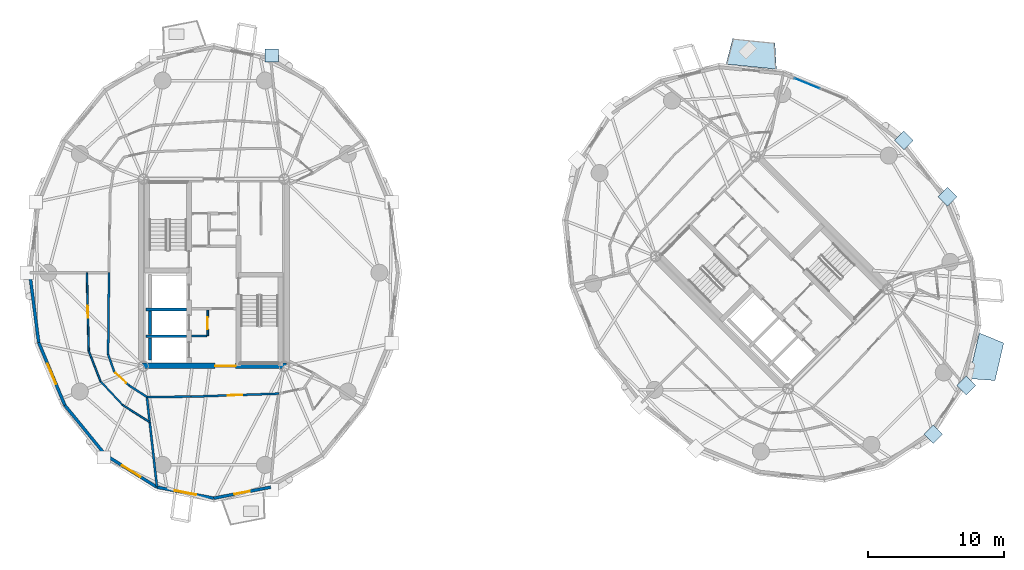
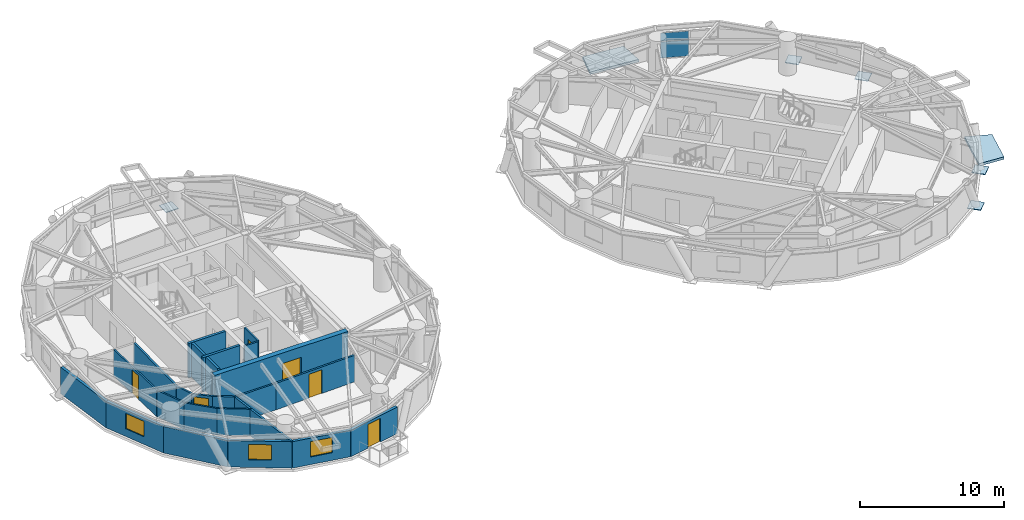
# One storey, part 9 of 18: 24 walls, 7 plates, 6 doors, 3 windows, 2 slabs, 9 openings, 1 element without a shape of its own.
"""IFC4 building model written with IfcOpenShell, lengths in metres."""

from ifc_helpers import new_model, si_unit, direction, frame, frame_2d, origin, origin_2d, place, context, subcontext, project, spatial, polyline, rectangle, outline, extrude, source, transform, mapped, material, layer, layer_set, type_object, element, fill, aggregate, save


model = new_model("IFC4")

# Units and contexts
model_context = context("Model", 3, precision=1e-05, world=origin(), true_north=direction((0.0, 1.0)))
body_context = subcontext(model_context, "Body", "Model", "MODEL_VIEW")
ifc_project = project(units=[si_unit("LENGTHUNIT", "METRE"), si_unit("AREAUNIT", "SQUARE_METRE"), si_unit("VOLUMEUNIT", "CUBIC_METRE"), si_unit("PLANEANGLEUNIT", "RADIAN"), si_unit("MASSUNIT", "GRAM", prefix="KILO")], contexts=[model_context])

# Site, building, storey
site_placement = place(None, origin())
site = spatial("IfcSite", under=ifc_project, at=site_placement, CompositionType="ELEMENT")
building_placement = place(site_placement, origin())
building = spatial("IfcBuilding", under=site, at=building_placement, Name="Cununo Teusaquillo Station Towers", CompositionType="ELEMENT")
storey_placement = place(building_placement, frame((0.0, 0.0, 169.06005859375)))
storey = spatial("IfcBuildingStorey", under=building, at=storey_placement, Name="L53", CompositionType="ELEMENT", Elevation=169.06005859375)

# Slabs
ifc_material_1 = material(Name="Concrete C50/60", Category="concrete")
ifc_layer_1 = layer(ifc_material_1, 0.2099609375)
ifc_layer_set_1 = layer_set([ifc_layer_1], Name="Concrete C50/60")
slab_type = type_object("IfcSlabType", Name="SLB-BAL-210", PredefinedType="FLOOR", material=ifc_layer_set_1)
slab_1_placement = place(storey_placement, frame((0.0, 0.0, -0.2099609375)))
element("IfcSlab", 1, at=slab_1_placement, inside=storey, type_object=slab_type, Name="L53 Tower B Tree Balcony Slab 1", PredefinedType="FLOOR", context=body_context, shape_type="SweptSolid", body=[
    extrude(outline(polyline([(57.8505859375, 39.46337890625), (54.148681640625, 39.830078125), (54.63623046875, 41.706298828125), (57.740966796875, 41.3984375), (57.8505859375, 39.46337890625)])), origin(), (0.0, 0.0, 1.0), 0.2099609375),
])
slab_2_placement = place(storey_placement, frame((0.0, 0.0, -0.2099609375)))
element("IfcSlab", 2, at=slab_2_placement, inside=storey, type_object=slab_type, Name="L53 Tower B Tree Balcony Slab 2", PredefinedType="FLOOR", context=body_context, shape_type="SweptSolid", body=[
    extrude(outline(polyline([(71.979248046875, 16.720703125), (72.75927734375, 20.064208984375), (74.55615234375, 19.3369140625), (73.912353515625, 16.57763671875), (71.979248046875, 16.720703125)])), origin(), (0.0, 0.0, 1.0), 0.2099609375),
])

# Plates
ifc_material_2 = material(Name="Steel ASTM A572 Grade 50", Category="steel")
ifc_layer_2 = layer(ifc_material_2, 0.054931640625)
ifc_layer_set_2 = layer_set([ifc_layer_2], Name="Steel ASTM A572 Grade 50")
plate_type_1 = type_object("IfcPlateType", Name="PLT-NODE-KDN1", PredefinedType="USERDEFINED", material=ifc_layer_set_2)
shared_shape_1 = source(origin(), body_context, "Body", "SweptSolid", [
    extrude(rectangle(XDim=0.97998046875, YDim=0.97998046875, at=origin_2d()), origin(), (0.0, 0.0, 1.0), 0.054931640625),
])
for number, where, z_axis, x_axis, name in (
    (3, (20.749267578125, 40.46826171875, -0.16748046875), (0.0, 0.0, 1.0), (1.0, 0.0, 0.0), "L53 Tower A Diagrid Node Assembly C03"),
    (4, (67.223388671875, 34.223388671875, -0.16748046875), (0.0, 0.0, 1.0), (0.707106781187, 0.707106781187, 0.0), "L53 Tower B Diagrid Node Assembly C00"),
    (5, (69.372314453125, 12.627685546875, -0.16748046875), (0.0, 0.0, 1.0), (0.707106781187, 0.707106781187, 0.0), "L53 Tower B Diagrid Node Assembly C14"),
    (6, (71.7958984375, 16.21337890625, -0.16748046875), (0.0, 0.0, 1.0), (0.707106781187, 0.707106781187, 0.0), "L53 Tower B Diagrid Node Assembly C16"),
    (7, (70.416259765625, 30.078857421875, -0.16748046875), (0.0, 0.0, 1.0), (0.707106781187, 0.707106781187, 0.0), "L53 Tower B Diagrid Node Assembly C18"),
):
    element("IfcPlate", number, at=place(storey_placement, frame(where, z_axis=z_axis, x_axis=x_axis)), inside=storey, type_object=plate_type_1, Name=name, ObjectType="GUSSET PLATE", PredefinedType="USERDEFINED", context=body_context, shape_type="MappedRepresentation", body=[
        mapped(shared_shape_1, transform((0.0, 0.0, 0.0), x_axis=(1.0, 0.0, 0.0), y_axis=(0.0, 1.0, 0.0), z_axis=(0.0, 0.0, 1.0), scale=1.0)),
    ])

# Curtain wall, plates
ifc_material_3 = material(Name="Operable acoustic tinted low-E double glazing", Category="glass")
ifc_layer_3 = layer(ifc_material_3, 0.179931640625)
ifc_layer_set_3 = layer_set([ifc_layer_3], Name="Operable acoustic tinted low-E double glazing")
curtain_wall_type = type_object("IfcCurtainWallType", Name="CW-SYS-06", PredefinedType="USERDEFINED", material=ifc_layer_set_3)
curtain_wall_placement = place(storey_placement, origin())
curtain_wall = element("IfcCurtainWall", 8, at=curtain_wall_placement, inside=storey, type_object=curtain_wall_type, Name="L53 Tower B Facade Curtain Wall C01", ObjectType="OPERABLE GLAZING", PredefinedType="USERDEFINED")
ifc_material_4 = material(Name="Operable acoustic tinted low-E double glazing", Category="glass")
ifc_layer_4 = layer(ifc_material_4, 0.031982421875)
ifc_layer_set_4 = layer_set([ifc_layer_4], Name="Operable acoustic tinted low-E double glazing")
plate_type_2 = type_object("IfcPlateType", Name="CWP-OPER-32", PredefinedType="CURTAIN_PANEL", material=ifc_layer_set_4)
shared_shape_2 = source(origin(), body_context, "Body", "SweptSolid", [
    extrude(rectangle(XDim=1.97900390625, YDim=0.031982421875, at=origin_2d()), origin(), (0.0, 0.0, 1.0), 1.361572265625),
])
plate_1_placement = place(storey_placement, frame((60.1142578125, 38.4013671875, 0.06494140625), z_axis=(0.0, 0.0, 1.0), x_axis=(0.924480504803, -0.381229322376, 0.0)))
plate_1 = element("IfcPlate", 9, at=plate_1_placement, type_object=plate_type_2, Name="CW-06 panel 1.1", PredefinedType="CURTAIN_PANEL", context=body_context, shape_type="MappedRepresentation", body=[
    mapped(shared_shape_2, transform((0.0, 0.0, 0.0), x_axis=(1.0, 0.0, 0.0), y_axis=(0.0, 1.0, 0.0), z_axis=(0.0, 0.0, 1.0), scale=1.0)),
])
shared_shape_3 = source(origin(), body_context, "Body", "SweptSolid", [
    extrude(rectangle(XDim=1.97900390625, YDim=0.031982421875, at=origin_2d()), origin(), (0.0, 0.0, 1.0), 0.6884765625),
])
plate_2_placement = place(storey_placement, frame((60.1142578125, 38.4013671875, 1.491455078125), z_axis=(0.0, 0.0, 1.0), x_axis=(0.924480504803, -0.381229322376, 0.0)))
plate_2 = element("IfcPlate", 10, at=plate_2_placement, type_object=plate_type_2, Name="CW-06 panel 1.2", PredefinedType="CURTAIN_PANEL", context=body_context, shape_type="MappedRepresentation", body=[
    mapped(shared_shape_3, transform((0.0, 0.0, 0.0), x_axis=(1.0, 0.0, 0.0), y_axis=(0.0, 1.0, 0.0), z_axis=(0.0, 0.0, 1.0), scale=1.0)),
])
aggregate(curtain_wall, [plate_1, plate_2])

# Walls
ifc_material_5 = material(Name="Concrete C50/60", Category="concrete")
ifc_layer_5 = layer(ifc_material_5, 0.199951171875)
ifc_layer_set_5 = layer_set([ifc_layer_5], Name="Concrete C50/60")
wall_type_1 = type_object("IfcWallType", Name="WL-CORE-200", PredefinedType="SHEAR", material=ifc_layer_set_5)
for number, where, z_axis, x_axis, name in (
    (11, (11.52001953125, 21.800048828125, 0.0), (0.0, 0.0, 1.0), (1.0, 0.0, 0.0), "L53 Tower A Firefighting Lift Shaft South Shear Wall"),
    (12, (11.52001953125, 19.824951171875, 0.0), (0.0, 0.0, 1.0), (1.0, 0.0, 0.0), "L53 Tower A High-Rise Lift Hoistway Divider Shear Wall"),
):
    element("IfcWall", number, at=place(storey_placement, frame(where, z_axis=z_axis, x_axis=x_axis)), inside=storey, type_object=wall_type_1, Name=name, PredefinedType="SHEAR", context=body_context, shape_type="SweptSolid", body=[
        extrude(rectangle(XDim=2.969970703125, YDim=0.199951171875, at=frame_2d((1.48486328125, 0.0))), origin(), (0.0, 0.0, 1.0), 2.909912109375),
    ])
wall_1_placement = place(storey_placement, frame((11.820068359375, 19.945068359375, 0.0), z_axis=(0.0, 0.0, 1.0), x_axis=(0.0, 1.0, 0.0)))
element("IfcWall", 13, at=wall_1_placement, inside=storey, type_object=wall_type_1, Name="L53 Tower A High-Rise Lift 2 Shaft Rear Shear Wall", PredefinedType="SHEAR", context=body_context, shape_type="SweptSolid", body=[
    extrude(rectangle(XDim=1.73486328125, YDim=0.199951171875, at=frame_2d((0.867431640625, 0.0))), origin(), (0.0, 0.0, 1.0), 2.909912109375),
])
wall_2_placement = place(storey_placement, frame((11.820068359375, 18.070068359375, 0.0), z_axis=(0.0, 0.0, 1.0), x_axis=(0.0, 1.0, 0.0)))
element("IfcWall", 14, at=wall_2_placement, inside=storey, type_object=wall_type_1, Name="L53 Tower A High-Rise Lift 1 Shaft Rear Shear Wall", PredefinedType="SHEAR", context=body_context, shape_type="SweptSolid", body=[
    extrude(rectangle(XDim=1.635009765625, YDim=0.199951171875, at=frame_2d((0.8173828125, 0.0))), origin(), (0.0, 0.0, 1.0), 2.909912109375),
])

# Wall, opening, door
ifc_material_6 = material(Name="Concrete C50/60", Category="concrete")
ifc_layer_6 = layer(ifc_material_6, 0.39990234375)
ifc_layer_set_6 = layer_set([ifc_layer_6], Name="Concrete C50/60")
wall_type_2 = type_object("IfcWallType", Name="WL-CORE-400", PredefinedType="SHEAR", material=ifc_layer_set_6)
wall_3_placement = place(storey_placement, frame((11.14990234375, 17.64990234375, 0.0), z_axis=(0.0, 0.0, 1.0), x_axis=(1.0, 0.0, 0.0)))
wall_3 = element("IfcWall", 15, at=wall_3_placement, inside=storey, type_object=wall_type_2, Name="L53 Tower A Core Shear Wall S", PredefinedType="SHEAR", context=body_context, shape_type="SweptSolid", body=[
    extrude(rectangle(XDim=10.7001953125, YDim=0.39990234375, at=frame_2d((5.35009765625, 0.0))), origin(), (0.0, 0.0, 1.0), 2.909912109375),
])
shared_shape_4 = source(origin(), body_context, "Body", "SweptSolid", [
    extrude(rectangle(XDim=1.5, YDim=2.02001953125, at=frame_2d((0.75, 1.010009765625))), frame((0.0, 0.2099609375, 0.0), z_axis=(0.0, -1.0, 0.0), x_axis=(1.0, 0.0, 0.0)), (0.0, 0.0, 1.0), 0.419921875),
])
opening_1_placement = place(wall_3_placement, frame((5.449951171875, 0.0, 0.0)))
opening_1 = element("IfcOpeningElement", 16, at=opening_1_placement, cuts=wall_3, Name="Opening D-LB1", PredefinedType="OPENING", context=body_context, shape_type="MappedRepresentation", body=[
    mapped(shared_shape_4, transform((0.0, 0.0, 0.0), x_axis=(1.0, 0.0, 0.0), y_axis=(0.0, 1.0, 0.0), z_axis=(0.0, 0.0, 1.0), scale=1.0)),
])
ifc_material_7 = material(Name="Galvanised fire-rated hollow steel door assembly", Category="steel")
door_type_1 = type_object("IfcDoorType", Name="DR-LOBBY-1500", OperationType="DOUBLE_DOOR_SINGLE_SWING", PredefinedType="DOOR", material=ifc_material_7)
shared_shape_5 = source(origin(), body_context, "Body", "SweptSolid", [
    extrude(rectangle(XDim=1.5, YDim=2.02001953125, at=frame_2d((0.75, 1.010009765625))), frame((0.0, 0.02490234375, 0.0), z_axis=(0.0, -1.0, 0.0), x_axis=(1.0, 0.0, 0.0)), (0.0, 0.0, 1.0), 0.050048828125),
])
door_1_placement = place(opening_1_placement, origin())
door_1 = element("IfcDoor", 17, at=door_1_placement, inside=storey, type_object=door_type_1, Name="L53 Tower A South Core Lift Lobby Door", OperationType="DOUBLE_DOOR_SINGLE_SWING", OverallHeight=2.02001953125, OverallWidth=1.5, PredefinedType="DOOR", context=body_context, shape_type="MappedRepresentation", body=[
    mapped(shared_shape_5, transform((0.0, 0.0, 0.0), x_axis=(1.0, 0.0, 0.0), y_axis=(0.0, 1.0, 0.0), z_axis=(0.0, 0.0, 1.0), scale=1.0)),
])
fill(opening_1, door_1)

# Wall
ifc_material_8 = material(Name="Precast concrete C40/50", Category="concrete")
ifc_layer_7 = layer(ifc_material_8, 0.219970703125)
ifc_layer_set_7 = layer_set([ifc_layer_7], Name="Precast concrete C40/50")
wall_type_3 = type_object("IfcWallType", Name="WL-EXT-220", PredefinedType="SOLIDWALL", material=ifc_layer_set_7)
wall_4_placement = place(storey_placement, frame((3.63134765625, 19.379638671875, 0.0), z_axis=(0.0, 0.0, 1.0), x_axis=(-0.128287912609, 0.991736966881, 0.0)))
element("IfcWall", 18, at=wall_4_placement, inside=storey, type_object=wall_type_3, Name="L53 Tower A Exterior Facade Wall C10", PredefinedType="SOLIDWALL", context=body_context, shape_type="SweptSolid", body=[
    extrude(rectangle(XDim=5.1630859375, YDim=0.219970703125, at=frame_2d((2.58154296875, 0.0))), origin(), (0.0, 0.0, 1.0), 2.244873046875),
])

# Wall, opening, window
wall_5_placement = place(storey_placement, frame((5.55322265625, 14.760498046875, 0.0), z_axis=(0.0, 0.0, 1.0), x_axis=(-0.384144094086, 0.923273152961, 0.0)))
wall_5 = element("IfcWall", 19, at=wall_5_placement, inside=storey, type_object=wall_type_3, Name="L53 Tower A Exterior Facade Wall C11", PredefinedType="SOLIDWALL", context=body_context, shape_type="SweptSolid", body=[
    extrude(rectangle(XDim=5.0029296875, YDim=0.219970703125, at=frame_2d((2.50146484375, 0.0))), origin(), (0.0, 0.0, 1.0), 2.244873046875),
])
shared_shape_6 = source(origin(), body_context, "Body", "SweptSolid", [
    extrude(rectangle(XDim=1.60009765625, YDim=1.300048828125, at=frame_2d((0.800048828125, 0.64990234375))), frame((0.0, 0.119873046875, 0.0), z_axis=(0.0, -1.0, 0.0), x_axis=(1.0, 0.0, 0.0)), (0.0, 0.0, 1.0), 0.239990234375),
])
opening_2_placement = place(wall_5_placement, frame((1.701904296875, 0.0, 0.64990234375)))
opening_2 = element("IfcOpeningElement", 20, at=opening_2_placement, cuts=wall_5, Name="Opening WN-03", PredefinedType="OPENING", context=body_context, shape_type="MappedRepresentation", body=[
    mapped(shared_shape_6, transform((0.0, 0.0, 0.0), x_axis=(1.0, 0.0, 0.0), y_axis=(0.0, 1.0, 0.0), z_axis=(0.0, 0.0, 1.0), scale=1.0)),
])
ifc_material_9 = material(Name="Ceramic-fritted dark low-E double glazing", Category="glass")
window_type = type_object("IfcWindowType", Name="WIN-CORN-1600", PartitioningType="SINGLE_PANEL", PredefinedType="WINDOW", material=ifc_material_9)
shared_shape_7 = source(origin(), body_context, "Body", "SweptSolid", [
    extrude(rectangle(XDim=1.60009765625, YDim=1.300048828125, at=frame_2d((0.800048828125, 0.64990234375))), frame((0.0, 0.030029296875, 0.0), z_axis=(0.0, -1.0, 0.0), x_axis=(1.0, 0.0, 0.0)), (0.0, 0.0, 1.0), 0.06005859375),
])
window_1_placement = place(opening_2_placement, origin())
window_1 = element("IfcWindow", 21, at=window_1_placement, inside=storey, type_object=window_type, Name="L53 Tower A Facade Window C11", OverallHeight=1.300048828125, OverallWidth=1.60009765625, PartitioningType="SINGLE_PANEL", PredefinedType="WINDOW", context=body_context, shape_type="MappedRepresentation", body=[
    mapped(shared_shape_7, transform((0.0, 0.0, 0.0), x_axis=(1.0, 0.0, 0.0), y_axis=(0.0, 1.0, 0.0), z_axis=(0.0, 0.0, 1.0), scale=1.0)),
])
fill(opening_2, window_1)

# Wall
wall_6_placement = place(storey_placement, frame((8.546630859375, 11.094482421875, 0.0), z_axis=(0.0, 0.0, 1.0), x_axis=(-0.632470615287, 0.774584353572, 0.0)))
element("IfcWall", 22, at=wall_6_placement, inside=storey, type_object=wall_type_3, Name="L53 Tower A Exterior Facade Wall C12", PredefinedType="SOLIDWALL", context=body_context, shape_type="SweptSolid", body=[
    extrude(rectangle(XDim=4.73291015625, YDim=0.219970703125, at=frame_2d((2.366455078125, 0.0))), origin(), (0.0, 0.0, 1.0), 2.244873046875),
])

# Wall, opening, window
wall_7_placement = place(storey_placement, frame((12.318603515625, 8.740966796875, 0.0), z_axis=(0.0, 0.0, 1.0), x_axis=(-0.848399108042, 0.529357113368, 0.0)))
wall_7 = element("IfcWall", 23, at=wall_7_placement, inside=storey, type_object=wall_type_3, Name="L53 Tower A Exterior Facade Wall C13", PredefinedType="SOLIDWALL", context=body_context, shape_type="SweptSolid", body=[
    extrude(rectangle(XDim=4.446044921875, YDim=0.219970703125, at=frame_2d((2.22314453125, 0.0))), origin(), (0.0, 0.0, 1.0), 2.244873046875),
])
opening_3_placement = place(wall_7_placement, frame((1.423095703125, 0.0, 0.64990234375)))
opening_3 = element("IfcOpeningElement", 24, at=opening_3_placement, cuts=wall_7, Name="Opening WN-03", PredefinedType="OPENING", context=body_context, shape_type="MappedRepresentation", body=[
    mapped(shared_shape_6, transform((0.0, 0.0, 0.0), x_axis=(1.0, 0.0, 0.0), y_axis=(0.0, 1.0, 0.0), z_axis=(0.0, 0.0, 1.0), scale=1.0)),
])
window_2_placement = place(opening_3_placement, origin())
window_2 = element("IfcWindow", 25, at=window_2_placement, inside=storey, type_object=window_type, Name="L53 Tower A Facade Window C13", OverallHeight=1.300048828125, OverallWidth=1.60009765625, PartitioningType="SINGLE_PANEL", PredefinedType="WINDOW", context=body_context, shape_type="MappedRepresentation", body=[
    mapped(shared_shape_7, transform((0.0, 0.0, 0.0), x_axis=(1.0, 0.0, 0.0), y_axis=(0.0, 1.0, 0.0), z_axis=(0.0, 0.0, 1.0), scale=1.0)),
])
fill(opening_3, window_2)

wall_8_placement = place(storey_placement, frame((16.5, 7.929931640625, 0.0), z_axis=(0.0, 0.0, 1.0), x_axis=(-0.981703883443, 0.190413983815, 0.0)))
wall_8 = element("IfcWall", 26, at=wall_8_placement, inside=storey, type_object=wall_type_3, Name="L53 Tower A Exterior Facade Wall C14", PredefinedType="SOLIDWALL", context=body_context, shape_type="SweptSolid", body=[
    extrude(rectangle(XDim=4.25927734375, YDim=0.219970703125, at=frame_2d((2.129638671875, 0.0))), origin(), (0.0, 0.0, 1.0), 2.244873046875),
])
opening_4_placement = place(wall_8_placement, frame((1.330078125, 0.0, 0.64990234375)))
opening_4 = element("IfcOpeningElement", 27, at=opening_4_placement, cuts=wall_8, Name="Opening WN-03", PredefinedType="OPENING", context=body_context, shape_type="MappedRepresentation", body=[
    mapped(shared_shape_6, transform((0.0, 0.0, 0.0), x_axis=(1.0, 0.0, 0.0), y_axis=(0.0, 1.0, 0.0), z_axis=(0.0, 0.0, 1.0), scale=1.0)),
])
window_3_placement = place(opening_4_placement, origin())
window_3 = element("IfcWindow", 28, at=window_3_placement, inside=storey, type_object=window_type, Name="L53 Tower A Facade Window C14", OverallHeight=1.300048828125, OverallWidth=1.60009765625, PartitioningType="SINGLE_PANEL", PredefinedType="WINDOW", context=body_context, shape_type="MappedRepresentation", body=[
    mapped(shared_shape_7, transform((0.0, 0.0, 0.0), x_axis=(1.0, 0.0, 0.0), y_axis=(0.0, 1.0, 0.0), z_axis=(0.0, 0.0, 1.0), scale=1.0)),
])
fill(opening_4, window_3)

# Wall, opening, door
wall_9_placement = place(storey_placement, frame((20.681396484375, 8.740966796875, 0.0), z_axis=(0.0, 0.0, 1.0), x_axis=(-0.981703883443, -0.190413983815, 0.0)))
wall_9 = element("IfcWall", 29, at=wall_9_placement, inside=storey, type_object=wall_type_3, Name="L53 Tower A Exterior Facade Wall C15", PredefinedType="SOLIDWALL", context=body_context, shape_type="SweptSolid", body=[
    extrude(rectangle(XDim=4.25927734375, YDim=0.219970703125, at=frame_2d((2.129638671875, 0.0))), origin(), (0.0, 0.0, 1.0), 2.244873046875),
])
shared_shape_8 = source(origin(), body_context, "Body", "SweptSolid", [
    extrude(rectangle(XDim=1.14990234375, YDim=2.0048828125, at=frame_2d((0.574951171875, 1.00244140625))), frame((0.0, 0.119873046875, 0.0), z_axis=(0.0, -1.0, 0.0), x_axis=(1.0, 0.0, 0.0)), (0.0, 0.0, 1.0), 0.239990234375),
])
opening_5_placement = place(wall_9_placement, frame((1.554931640625, 0.0, 0.0)))
opening_5 = element("IfcOpeningElement", 30, at=opening_5_placement, cuts=wall_9, Name="Opening ED-03", PredefinedType="OPENING", context=body_context, shape_type="MappedRepresentation", body=[
    mapped(shared_shape_8, transform((0.0, 0.0, 0.0), x_axis=(1.0, 0.0, 0.0), y_axis=(0.0, 1.0, 0.0), z_axis=(0.0, 0.0, 1.0), scale=1.0)),
])
ifc_material_10 = material(Name="Anodised dark bronze aluminium EN AW-6063-T6", Category="aluminium")
door_type_2 = type_object("IfcDoorType", Name="DR-EXT-BAL", OperationType="NOTDEFINED", PredefinedType="DOOR", material=ifc_material_10)
shared_shape_9 = source(origin(), body_context, "Body", "SweptSolid", [
    extrude(rectangle(XDim=1.14990234375, YDim=2.0048828125, at=frame_2d((0.574951171875, 1.00244140625))), frame((0.0, 0.02490234375, 0.0), z_axis=(0.0, -1.0, 0.0), x_axis=(1.0, 0.0, 0.0)), (0.0, 0.0, 1.0), 0.050048828125),
])
door_2_placement = place(opening_5_placement, origin())
door_2 = element("IfcDoor", 31, at=door_2_placement, inside=storey, type_object=door_type_2, Name="L53 Tower A Tree Balcony Door C15", OperationType="SINGLE_SWING_LEFT", OverallHeight=2.0048828125, OverallWidth=1.14990234375, PredefinedType="DOOR", context=body_context, shape_type="MappedRepresentation", body=[
    mapped(shared_shape_9, transform((0.0, 0.0, 0.0), x_axis=(1.0, 0.0, 0.0), y_axis=(0.0, 1.0, 0.0), z_axis=(0.0, 0.0, 1.0), scale=1.0)),
])
fill(opening_5, door_2)

ifc_material_11 = material(Name="Fire-rated gypsum plasterboard partition assembly", Category="gypsum")
ifc_layer_8 = layer(ifc_material_11, 0.125)
ifc_layer_set_8 = layer_set([ifc_layer_8], Name="Fire-rated gypsum plasterboard partition assembly")
wall_type_4 = type_object("IfcWallType", Name="WL-PART-125", PredefinedType="PARTITIONING", material=ifc_layer_set_8)
wall_10_placement = place(storey_placement, frame((16.050048828125, 19.8798828125, 0.0), z_axis=(0.0, 0.0, 1.0), x_axis=(0.0, 1.0, 0.0)))
wall_10 = element("IfcWall", 32, at=wall_10_placement, inside=storey, type_object=wall_type_4, Name="L53 Tower A North-West Lobby Store East Wall", PredefinedType="PARTITIONING", context=body_context, shape_type="SweptSolid", body=[
    extrude(rectangle(XDim=1.8701171875, YDim=0.125, at=frame_2d((0.93505859375, 0.0))), origin(), (0.0, 0.0, 1.0), 2.675048828125),
])
shared_shape_10 = source(origin(), body_context, "Body", "SweptSolid", [
    extrude(rectangle(XDim=0.89990234375, YDim=2.0048828125, at=frame_2d((0.449951171875, 1.00244140625))), frame((0.0, 0.072509765625, 0.0), z_axis=(0.0, -1.0, 0.0), x_axis=(1.0, 0.0, 0.0)), (0.0, 0.0, 1.0), 0.14501953125),
])
opening_6_placement = place(wall_10_placement, frame((0.449951171875, 0.0, 0.0)))
opening_6 = element("IfcOpeningElement", 33, at=opening_6_placement, cuts=wall_10, Name="Opening D-SR1", PredefinedType="OPENING", context=body_context, shape_type="MappedRepresentation", body=[
    mapped(shared_shape_10, transform((0.0, 0.0, 0.0), x_axis=(1.0, 0.0, 0.0), y_axis=(0.0, 1.0, 0.0), z_axis=(0.0, 0.0, 1.0), scale=1.0)),
])
ifc_material_12 = material(Name="Galvanised fire-rated hollow steel door assembly", Category="steel")
door_type_3 = type_object("IfcDoorType", Name="DR-STORE-900", OperationType="NOTDEFINED", PredefinedType="DOOR", material=ifc_material_12)
shared_shape_11 = source(origin(), body_context, "Body", "SweptSolid", [
    extrude(rectangle(XDim=0.89990234375, YDim=2.0048828125, at=frame_2d((0.449951171875, 1.00244140625))), frame((0.0, 0.02490234375, 0.0), z_axis=(0.0, -1.0, 0.0), x_axis=(1.0, 0.0, 0.0)), (0.0, 0.0, 1.0), 0.050048828125),
])
door_3_placement = place(opening_6_placement, origin())
door_3 = element("IfcDoor", 34, at=door_3_placement, inside=storey, type_object=door_type_3, Name="L53 Tower A South Lobby Data Store Door", OperationType="SINGLE_SWING_RIGHT", OverallHeight=2.0048828125, OverallWidth=0.89990234375, PredefinedType="DOOR", context=body_context, shape_type="MappedRepresentation", body=[
    mapped(shared_shape_11, transform((0.0, 0.0, 0.0), x_axis=(1.0, 0.0, 0.0), y_axis=(0.0, 1.0, 0.0), z_axis=(0.0, 0.0, 1.0), scale=1.0)),
])
fill(opening_6, door_3)

# Wall
wall_11_placement = place(storey_placement, frame((14.8798828125, 19.85009765625, 0.0), z_axis=(0.0, 0.0, 1.0), x_axis=(1.0, 0.0, 0.0)))
element("IfcWall", 35, at=wall_11_placement, inside=storey, type_object=wall_type_4, Name="L53 Tower A North-West Lobby Store South Wall", PredefinedType="PARTITIONING", context=body_context, shape_type="SweptSolid", body=[
    extrude(rectangle(XDim=1.10009765625, YDim=0.125, at=frame_2d((0.550048828125, 0.0))), origin(), (0.0, 0.0, 1.0), 2.675048828125),
])

# Wall, opening, door
wall_12_placement = place(storey_placement, frame((7.1728515625, 24.5, 0.0), z_axis=(0.0, 0.0, 1.0), x_axis=(0.023936084601, -0.999713490883, 0.0)))
wall_12 = element("IfcWall", 36, at=wall_12_placement, inside=storey, type_object=wall_type_4, Name="L53 Tower A Grand Cordillera Club Salon Concentric Partition Wall C10", PredefinedType="PARTITIONING", context=body_context, shape_type="SweptSolid", body=[
    extrude(rectangle(XDim=5.752685546875, YDim=0.125, at=frame_2d((2.87646484375, 0.0))), origin(), (0.0, 0.0, 1.0), 2.244873046875),
])
opening_7_placement = place(wall_12_placement, frame((2.42626953125, 0.0, 0.0)))
opening_7 = element("IfcOpeningElement", 37, at=opening_7_placement, cuts=wall_12, Name="Opening D-IN1", PredefinedType="OPENING", context=body_context, shape_type="MappedRepresentation", body=[
    mapped(shared_shape_10, transform((0.0, 0.0, 0.0), x_axis=(1.0, 0.0, 0.0), y_axis=(0.0, 1.0, 0.0), z_axis=(0.0, 0.0, 1.0), scale=1.0)),
])
ifc_material_13 = material(Name="Acoustic solid-core hardwood leaf assembly", Category="wood")
door_type_4 = type_object("IfcDoorType", Name="DR-INT-900", OperationType="NOTDEFINED", PredefinedType="DOOR", material=ifc_material_13)
door_4_placement = place(opening_7_placement, origin())
door_4 = element("IfcDoor", 38, at=door_4_placement, inside=storey, type_object=door_type_4, Name="L53 Tower A Grand Cordillera Club Salon Connecting Door", OperationType="SINGLE_SWING_LEFT", OverallHeight=2.0048828125, OverallWidth=0.89990234375, PredefinedType="DOOR", context=body_context, shape_type="MappedRepresentation", body=[
    mapped(shared_shape_11, transform((0.0, 0.0, 0.0), x_axis=(1.0, 0.0, 0.0), y_axis=(0.0, 1.0, 0.0), z_axis=(0.0, 0.0, 1.0), scale=1.0)),
])
fill(opening_7, door_4)

# Walls
wall_13_placement = place(storey_placement, frame((7.310546875, 18.7490234375, 0.0), z_axis=(0.0, 0.0, 1.0), x_axis=(0.363119757726, -0.931742475982, 0.0)))
element("IfcWall", 39, at=wall_13_placement, inside=storey, type_object=wall_type_4, Name="L53 Tower A Grand Cordillera Club Salon Concentric Partition Wall C11", PredefinedType="PARTITIONING", context=body_context, shape_type="SweptSolid", body=[
    extrude(rectangle(XDim=2.396240234375, YDim=0.125, at=frame_2d((1.1982421875, 0.0))), origin(), (0.0, 0.0, 1.0), 2.244873046875),
])
wall_14_placement = place(storey_placement, frame((8.1806640625, 16.516357421875, 0.0), z_axis=(0.0, 0.0, 1.0), x_axis=(0.682244764422, -0.731123848209, 0.0)))
element("IfcWall", 40, at=wall_14_placement, inside=storey, type_object=wall_type_4, Name="L53 Tower A Grand Cordillera Club Salon Concentric Partition Wall C12", PredefinedType="PARTITIONING", context=body_context, shape_type="SweptSolid", body=[
    extrude(rectangle(XDim=2.367431640625, YDim=0.125, at=frame_2d((1.18359375, 0.0))), origin(), (0.0, 0.0, 1.0), 2.244873046875),
])
wall_15_placement = place(storey_placement, frame((9.7958984375, 14.785400390625, 0.0), z_axis=(0.0, 0.0, 1.0), x_axis=(0.844898543763, -0.534926584446, 0.0)))
element("IfcWall", 41, at=wall_15_placement, inside=storey, type_object=wall_type_4, Name="L53 Tower A Grand Cordillera Club Salon Concentric Partition Wall C13", PredefinedType="PARTITIONING", context=body_context, shape_type="SweptSolid", body=[
    extrude(rectangle(XDim=2.360595703125, YDim=0.125, at=frame_2d((1.18017578125, 0.0))), origin(), (0.0, 0.0, 1.0), 2.244873046875),
])
ifc_material_14 = material(Name="Fire-rated gypsum plasterboard partition assembly", Category="gypsum")
ifc_layer_9 = layer(ifc_material_14, 0.14990234375)
ifc_layer_set_9 = layer_set([ifc_layer_9], Name="Fire-rated gypsum plasterboard partition assembly")
wall_type_5 = type_object("IfcWallType", Name="WL-PART-150", PredefinedType="PARTITIONING", material=ifc_layer_set_9)
wall_16_placement = place(storey_placement, frame((8.800048828125, 24.5, 0.0), z_axis=(0.0, 0.0, 1.0), x_axis=(-0.011028591374, -0.999939183237, 0.0)))
element("IfcWall", 42, at=wall_16_placement, inside=storey, type_object=wall_type_5, Name="L53 Tower A Corridor Ring Wall C10", PredefinedType="PARTITIONING", context=body_context, shape_type="SweptSolid", body=[
    extrude(rectangle(XDim=5.9990234375, YDim=0.14990234375, at=frame_2d((2.99951171875, 0.0))), origin(), (0.0, 0.0, 1.0), 2.244873046875),
])
wall_17_placement = place(storey_placement, frame((8.73388671875, 18.501220703125, 0.0), z_axis=(0.0, 0.0, 1.0), x_axis=(0.333612366873, -0.94271034187, 0.0)))
element("IfcWall", 43, at=wall_17_placement, inside=storey, type_object=wall_type_5, Name="L53 Tower A Corridor Ring Wall C11", PredefinedType="PARTITIONING", context=body_context, shape_type="SweptSolid", body=[
    extrude(rectangle(XDim=1.385986328125, YDim=0.14990234375, at=frame_2d((0.69287109375, 0.0))), origin(), (0.0, 0.0, 1.0), 2.244873046875),
])

# Wall, opening, door
wall_18_placement = place(storey_placement, frame((9.1962890625, 17.194580078125, 0.0), z_axis=(0.0, 0.0, 1.0), x_axis=(0.740734525483, -0.671797858553, 0.0)))
wall_18 = element("IfcWall", 44, at=wall_18_placement, inside=storey, type_object=wall_type_5, Name="L53 Tower A Corridor Ring Wall C12", PredefinedType="PARTITIONING", context=body_context, shape_type="SweptSolid", body=[
    extrude(rectangle(XDim=1.459228515625, YDim=0.14990234375, at=frame_2d((0.7294921875, 0.0))), origin(), (0.0, 0.0, 1.0), 2.244873046875),
])
shared_shape_12 = source(origin(), body_context, "Body", "SweptSolid", [
    extrude(rectangle(XDim=1.050048828125, YDim=2.014892578125, at=frame_2d((0.52490234375, 1.00732421875))), frame((0.0, 0.0849609375, 0.0), z_axis=(0.0, -1.0, 0.0), x_axis=(1.0, 0.0, 0.0)), (0.0, 0.0, 1.0), 0.169921875),
])
opening_8_placement = place(wall_18_placement, frame((0.1201171875, 0.0, 0.0)))
opening_8 = element("IfcOpeningElement", 45, at=opening_8_placement, cuts=wall_18, Name="Opening D-SU1", PredefinedType="OPENING", context=body_context, shape_type="MappedRepresentation", body=[
    mapped(shared_shape_12, transform((0.0, 0.0, 0.0), x_axis=(1.0, 0.0, 0.0), y_axis=(0.0, 1.0, 0.0), z_axis=(0.0, 0.0, 1.0), scale=1.0)),
])
ifc_material_15 = material(Name="Acoustic solid-core hardwood leaf assembly", Category="wood")
door_type_5 = type_object("IfcDoorType", Name="DR-SUITE-1050", OperationType="NOTDEFINED", PredefinedType="DOOR", material=ifc_material_15)
shared_shape_13 = source(origin(), body_context, "Body", "SweptSolid", [
    extrude(rectangle(XDim=1.050048828125, YDim=2.014892578125, at=frame_2d((0.52490234375, 1.00732421875))), frame((0.0, 0.02490234375, 0.0), z_axis=(0.0, -1.0, 0.0), x_axis=(1.0, 0.0, 0.0)), (0.0, 0.0, 1.0), 0.050048828125),
])
door_5_placement = place(opening_8_placement, origin())
door_5 = element("IfcDoor", 46, at=door_5_placement, inside=storey, type_object=door_type_5, Name="L53 Tower A Grand Cordillera Club Salon Entrance Door", OperationType="SINGLE_SWING_RIGHT", OverallHeight=2.014892578125, OverallWidth=1.050048828125, PredefinedType="DOOR", context=body_context, shape_type="MappedRepresentation", body=[
    mapped(shared_shape_13, transform((0.0, 0.0, 0.0), x_axis=(1.0, 0.0, 0.0), y_axis=(0.0, 1.0, 0.0), z_axis=(0.0, 0.0, 1.0), scale=1.0)),
])
fill(opening_8, door_5)

# Walls
wall_19_placement = place(storey_placement, frame((10.277099609375, 16.21435546875, 0.0), z_axis=(0.0, 0.0, 1.0), x_axis=(0.841060909507, -0.540940427865, 0.0)))
element("IfcWall", 47, at=wall_19_placement, inside=storey, type_object=wall_type_5, Name="L53 Tower A Corridor Ring Wall C13", PredefinedType="PARTITIONING", context=body_context, shape_type="SweptSolid", body=[
    extrude(rectangle(XDim=1.552001953125, YDim=0.14990234375, at=frame_2d((0.77587890625, 0.0))), origin(), (0.0, 0.0, 1.0), 2.244873046875),
])
wall_20_placement = place(storey_placement, frame((11.58251953125, 15.374755859375, 0.0), z_axis=(0.0, 0.0, 1.0), x_axis=(0.999988014548, 0.004895994347, 0.0)))
element("IfcWall", 48, at=wall_20_placement, inside=storey, type_object=wall_type_5, Name="L53 Tower A Corridor Ring Wall C14", PredefinedType="PARTITIONING", context=body_context, shape_type="SweptSolid", body=[
    extrude(rectangle(XDim=3.2412109375, YDim=0.14990234375, at=frame_2d((1.62060546875, 0.0))), origin(), (0.0, 0.0, 1.0), 2.244873046875),
])

# Wall, opening, door
wall_21_placement = place(storey_placement, frame((14.82373046875, 15.390625, 0.0), z_axis=(0.0, 0.0, 1.0), x_axis=(0.999399579064, 0.034647963376, 0.0)))
wall_21 = element("IfcWall", 49, at=wall_21_placement, inside=storey, type_object=wall_type_5, Name="L53 Tower A Corridor Ring Wall C15", PredefinedType="PARTITIONING", context=body_context, shape_type="SweptSolid", body=[
    extrude(rectangle(XDim=6.4755859375, YDim=0.14990234375, at=frame_2d((3.23779296875, 0.0))), origin(), (0.0, 0.0, 1.0), 2.244873046875),
])
opening_9_placement = place(wall_21_placement, frame((2.712890625, 0.0, 0.0)))
opening_9 = element("IfcOpeningElement", 50, at=opening_9_placement, cuts=wall_21, Name="Opening D-SU1", PredefinedType="OPENING", context=body_context, shape_type="MappedRepresentation", body=[
    mapped(shared_shape_12, transform((0.0, 0.0, 0.0), x_axis=(1.0, 0.0, 0.0), y_axis=(0.0, 1.0, 0.0), z_axis=(0.0, 0.0, 1.0), scale=1.0)),
])
door_6_placement = place(opening_9_placement, origin())
door_6 = element("IfcDoor", 51, at=door_6_placement, inside=storey, type_object=door_type_5, Name="L53 Tower A Hotel Housekeeping & Linen Pantry Entrance Door", OperationType="SINGLE_SWING_RIGHT", OverallHeight=2.014892578125, OverallWidth=1.050048828125, PredefinedType="DOOR", context=body_context, shape_type="MappedRepresentation", body=[
    mapped(shared_shape_13, transform((0.0, 0.0, 0.0), x_axis=(1.0, 0.0, 0.0), y_axis=(0.0, 1.0, 0.0), z_axis=(0.0, 0.0, 1.0), scale=1.0)),
])
fill(opening_9, door_6)

# Wall
ifc_material_16 = material(Name="Fire-rated gypsum plasterboard partition assembly", Category="gypsum")
ifc_layer_10 = layer(ifc_material_16, 0.159912109375)
ifc_layer_set_10 = layer_set([ifc_layer_10], Name="Fire-rated gypsum plasterboard partition assembly")
wall_type_6 = type_object("IfcWallType", Name="WL-PART-160", PredefinedType="PARTITIONING", material=ifc_layer_set_10)
wall_22_placement = place(storey_placement, frame((11.58251953125, 15.374755859375, 0.0), z_axis=(0.0, 0.0, 1.0), x_axis=(0.111538514066, -0.993760111838, 0.0)))
element("IfcWall", 52, at=wall_22_placement, inside=storey, type_object=wall_type_6, Name="L53 Tower A Radial Suite Partition R05", PredefinedType="PARTITIONING", context=body_context, shape_type="SweptSolid", body=[
    extrude(rectangle(XDim=6.65625, YDim=0.159912109375, at=frame_2d((3.328125, 0.0))), origin(), (0.0, 0.0, 1.0), 2.244873046875),
])

save(model, "model.ifc")
